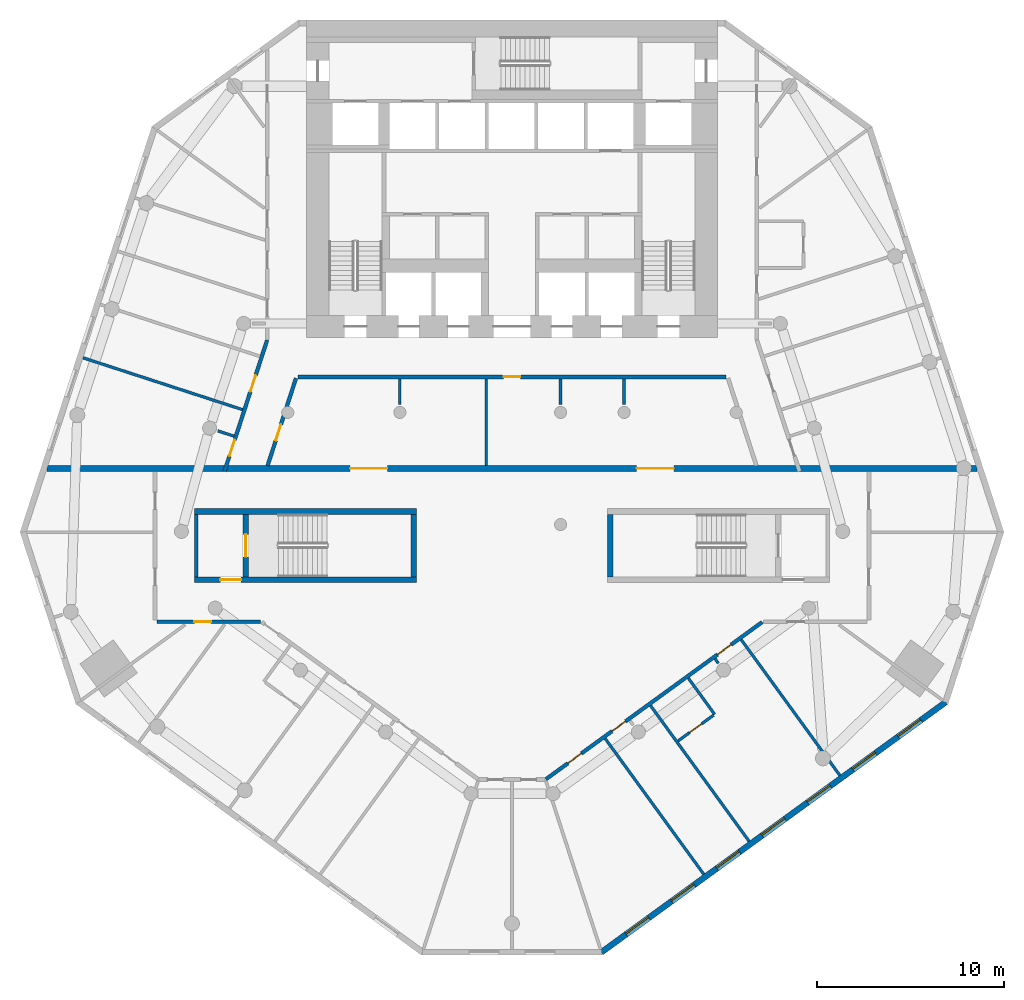
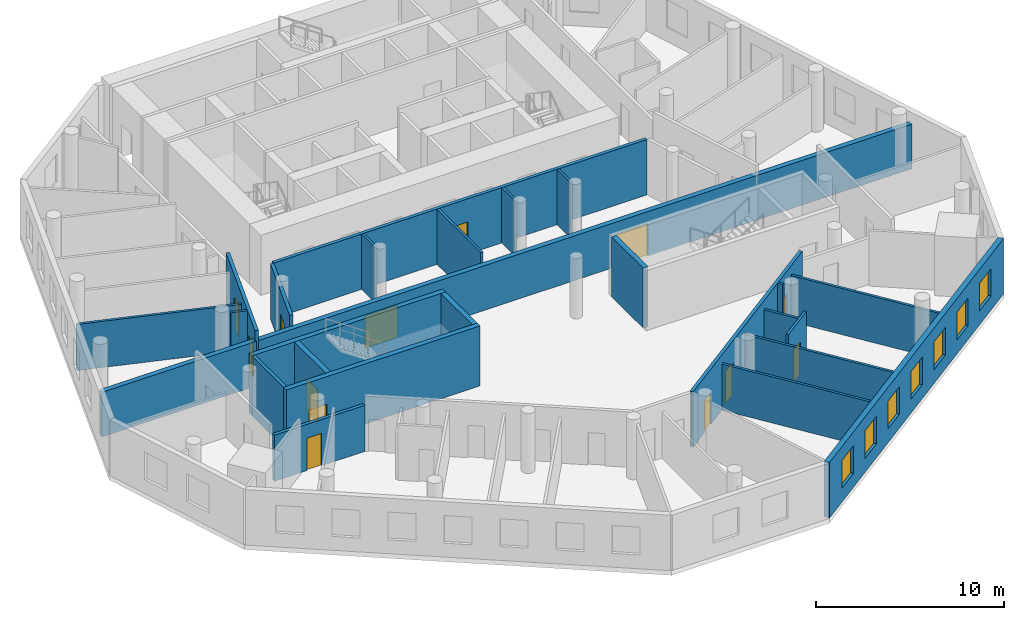
# One storey, part 3 of 9: 25 walls, 13 doors, 7 windows, 20 openings.
"""IFC4 building model written with IfcOpenShell, lengths in metres."""

from ifc_helpers import new_model, si_unit, direction, frame, frame_2d, origin, place, context, subcontext, project, spatial, rectangle, extrude, material, layer, layer_set, type_object, element, fill, save


model = new_model("IFC4")

# Units and contexts
model_context = context("Model", 3, precision=1e-05, world=origin(), true_north=direction((0.0, 1.0)))
body_context = subcontext(model_context, "Body", "Model", "MODEL_VIEW")
ifc_project = project(units=[si_unit("LENGTHUNIT", "METRE"), si_unit("AREAUNIT", "SQUARE_METRE"), si_unit("VOLUMEUNIT", "CUBIC_METRE"), si_unit("PLANEANGLEUNIT", "RADIAN"), si_unit("MASSUNIT", "GRAM", prefix="KILO")], contexts=[model_context])

# Site, building, storey
site_placement = place(None, origin())
site = spatial("IfcSite", under=ifc_project, at=site_placement, CompositionType="ELEMENT")
building_placement = place(site_placement, origin())
building = spatial("IfcBuilding", under=site, at=building_placement, Name="White Candle Pilgrim Tower", CompositionType="ELEMENT")
storey_placement = place(building_placement, frame((0.0, 0.0, 46.800048828125)))
storey = spatial("IfcBuildingStorey", under=building, at=storey_placement, Name="L08", CompositionType="ELEMENT", Elevation=46.800048828125)

# Wall
ifc_material_1 = material(Name="Concrete C70/85", Category="concrete")
ifc_layer_1 = layer(ifc_material_1, 0.199951171875)
ifc_layer_set_1 = layer_set([ifc_layer_1], Name="Core wall 200 mm Concrete C70/85")
wall_type_1 = type_object("IfcWallType", Name="Core wall 200 mm Concrete C70/85", PredefinedType="SHEAR", material=ifc_layer_set_1)
wall_1_placement = place(storey_placement, frame((53.10009765625, 58.199951171875, 0.0), z_axis=(0.0, 0.0, 1.0), x_axis=(0.0, 1.0, 0.0)))
element("IfcWall", 1, at=wall_1_placement, inside=storey, type_object=wall_type_1, Name="WL-L08-C03", PredefinedType="SHEAR", context=body_context, shape_type="SweptSolid", body=[
    extrude(rectangle(XDim=3.35009765625, YDim=0.199951171875, at=frame_2d((1.675048828125, 0.0))), origin(), (0.0, 0.0, 1.0), 3.89990234375),
])

# Wall, openings, doors
ifc_material_2 = material(Name="Gypsum board on steel studs", Category="steel")
ifc_layer_2 = layer(ifc_material_2, 0.199951171875)
ifc_layer_set_2 = layer_set([ifc_layer_2], Name="Corridor wall 200 mm EI 45")
wall_type_2 = type_object("IfcWallType", Name="Corridor wall 200 mm EI 45", PredefinedType="PARTITIONING", material=ifc_layer_set_2)
wall_2_placement = place(storey_placement, frame((54.615234375, 63.85009765625, 0.0), z_axis=(0.0, 0.0, 1.0), x_axis=(0.309020970938, 0.951055224222, 0.0)))
wall_2 = element("IfcWall", 2, at=wall_2_placement, inside=storey, type_object=wall_type_2, Name="WL-L08-P002", PredefinedType="PARTITIONING", context=body_context, shape_type="SweptSolid", body=[
    extrude(rectangle(XDim=7.37744140625, YDim=0.199951171875, at=frame_2d((3.688720703125, 0.0))), origin(), (0.0, 0.0, 1.0), 3.599853515625),
])
opening_1_placement = place(wall_2_placement, frame((0.8583984375, 0.0, 0.0)))
opening_1 = element("IfcOpeningElement", 3, at=opening_1_placement, cuts=wall_2, Name="Opening T02-120", PredefinedType="OPENING", context=body_context, shape_type="SweptSolid", body=[
    extrude(rectangle(XDim=0.89990234375, YDim=2.10009765625, at=frame_2d((0.449951171875, 1.050048828125))), frame((0.0, 0.10986328125, 0.0), z_axis=(0.0, -1.0, 0.0), x_axis=(1.0, 0.0, 0.0)), (0.0, 0.0, 1.0), 0.219970703125),
])
opening_2_placement = place(wall_2_placement, frame((4.486572265625, 0.0, 0.0)))
opening_2 = element("IfcOpeningElement", 4, at=opening_2_placement, cuts=wall_2, Name="Opening T02-121", PredefinedType="OPENING", context=body_context, shape_type="SweptSolid", body=[
    extrude(rectangle(XDim=0.89990234375, YDim=2.10009765625, at=frame_2d((0.449951171875, 1.050048828125))), frame((0.0, 0.10986328125, 0.0), z_axis=(0.0, -1.0, 0.0), x_axis=(1.0, 0.0, 0.0)), (0.0, 0.0, 1.0), 0.219970703125),
])
ifc_material_3 = material(Name="Steel door leaf", Category="steel")
door_type_1 = type_object("IfcDoorType", Name="Fire door 900 x 2100 EI 30", OperationType="NOTDEFINED", PredefinedType="DOOR", material=ifc_material_3)
door_1_placement = place(opening_1_placement, origin())
door_1 = element("IfcDoor", 5, at=door_1_placement, inside=storey, type_object=door_type_1, Name="Door T02-120", OperationType="SINGLE_SWING_RIGHT", OverallHeight=2.10009765625, OverallWidth=0.89990234375, PredefinedType="DOOR", context=body_context, shape_type="SweptSolid", body=[
    extrude(rectangle(XDim=0.89990234375, YDim=2.10009765625, at=frame_2d((0.449951171875, 1.050048828125))), frame((0.0, 0.02490234375, 0.0), z_axis=(0.0, -1.0, 0.0), x_axis=(1.0, 0.0, 0.0)), (0.0, 0.0, 1.0), 0.050048828125),
])
fill(opening_1, door_1)
door_2_placement = place(opening_2_placement, origin())
door_2 = element("IfcDoor", 6, at=door_2_placement, inside=storey, type_object=door_type_1, Name="Door T02-121", OperationType="SINGLE_SWING_LEFT", OverallHeight=2.10009765625, OverallWidth=0.89990234375, PredefinedType="DOOR", context=body_context, shape_type="SweptSolid", body=[
    extrude(rectangle(XDim=0.89990234375, YDim=2.10009765625, at=frame_2d((0.449951171875, 1.050048828125))), frame((0.0, 0.02490234375, 0.0), z_axis=(0.0, -1.0, 0.0), x_axis=(1.0, 0.0, 0.0)), (0.0, 0.0, 1.0), 0.050048828125),
])
fill(opening_2, door_2)

wall_3_placement = place(storey_placement, frame((83.386962890625, 55.781005859375, 0.0), z_axis=(0.0, 0.0, 1.0), x_axis=(-0.809010579214, -0.587794081902, 0.0)))
wall_3 = element("IfcWall", 7, at=wall_3_placement, inside=storey, type_object=wall_type_2, Name="WL-L08-P008", PredefinedType="PARTITIONING", context=body_context, shape_type="SweptSolid", body=[
    extrude(rectangle(XDim=14.302978515625, YDim=0.199951171875, at=frame_2d((7.1513671875, 0.0))), origin(), (0.0, 0.0, 1.0), 3.599853515625),
])
opening_3_placement = place(wall_3_placement, frame((11.947509765625, 0.0, 0.0)))
opening_3 = element("IfcOpeningElement", 8, at=opening_3_placement, cuts=wall_3, Name="Opening T02-110", PredefinedType="OPENING", context=body_context, shape_type="SweptSolid", body=[
    extrude(rectangle(XDim=0.89990234375, YDim=2.10009765625, at=frame_2d((0.449951171875, 1.050048828125))), frame((0.0, 0.10986328125, 0.0), z_axis=(0.0, -1.0, 0.0), x_axis=(1.0, 0.0, 0.0)), (0.0, 0.0, 1.0), 0.219970703125),
])
opening_4_placement = place(wall_3_placement, frame((9.034423828125, 0.0, 0.0)))
opening_4 = element("IfcOpeningElement", 9, at=opening_4_placement, cuts=wall_3, Name="Opening T02-111", PredefinedType="OPENING", context=body_context, shape_type="SweptSolid", body=[
    extrude(rectangle(XDim=0.89990234375, YDim=2.10009765625, at=frame_2d((0.449951171875, 1.050048828125))), frame((0.0, 0.10986328125, 0.0), z_axis=(0.0, -1.0, 0.0), x_axis=(1.0, 0.0, 0.0)), (0.0, 0.0, 1.0), 0.219970703125),
])
opening_5_placement = place(wall_3_placement, frame((2.059326171875, 0.0, 0.0)))
opening_5 = element("IfcOpeningElement", 10, at=opening_5_placement, cuts=wall_3, Name="Opening T02-113", PredefinedType="OPENING", context=body_context, shape_type="SweptSolid", body=[
    extrude(rectangle(XDim=0.89990234375, YDim=2.10009765625, at=frame_2d((0.449951171875, 1.050048828125))), frame((0.0, 0.10986328125, 0.0), z_axis=(0.0, -1.0, 0.0), x_axis=(1.0, 0.0, 0.0)), (0.0, 0.0, 1.0), 0.219970703125),
])
door_3_placement = place(opening_3_placement, origin())
door_3 = element("IfcDoor", 11, at=door_3_placement, inside=storey, type_object=door_type_1, Name="Door T02-110", OperationType="SINGLE_SWING_RIGHT", OverallHeight=2.10009765625, OverallWidth=0.89990234375, PredefinedType="DOOR", context=body_context, shape_type="SweptSolid", body=[
    extrude(rectangle(XDim=0.89990234375, YDim=2.10009765625, at=frame_2d((0.449951171875, 1.050048828125))), frame((0.0, 0.02490234375, 0.0), z_axis=(0.0, -1.0, 0.0), x_axis=(1.0, 0.0, 0.0)), (0.0, 0.0, 1.0), 0.050048828125),
])
fill(opening_3, door_3)
door_4_placement = place(opening_4_placement, origin())
door_4 = element("IfcDoor", 12, at=door_4_placement, inside=storey, type_object=door_type_1, Name="Door T02-111", OperationType="SINGLE_SWING_RIGHT", OverallHeight=2.10009765625, OverallWidth=0.89990234375, PredefinedType="DOOR", context=body_context, shape_type="SweptSolid", body=[
    extrude(rectangle(XDim=0.89990234375, YDim=2.10009765625, at=frame_2d((0.449951171875, 1.050048828125))), frame((0.0, 0.02490234375, 0.0), z_axis=(0.0, -1.0, 0.0), x_axis=(1.0, 0.0, 0.0)), (0.0, 0.0, 1.0), 0.050048828125),
])
fill(opening_4, door_4)
door_5_placement = place(opening_5_placement, frame((0.89990234375, 0.0, 0.0), z_axis=(0.0, 0.0, 1.0), x_axis=(-1.0, 0.0, 0.0)))
door_5 = element("IfcDoor", 13, at=door_5_placement, inside=storey, type_object=door_type_1, Name="Door T02-113", OperationType="SINGLE_SWING_RIGHT", OverallHeight=2.10009765625, OverallWidth=0.89990234375, PredefinedType="DOOR", context=body_context, shape_type="SweptSolid", body=[
    extrude(rectangle(XDim=0.89990234375, YDim=2.10009765625, at=frame_2d((0.449951171875, 1.050048828125))), frame((0.0, 0.02490234375, 0.0), z_axis=(0.0, -1.0, 0.0), x_axis=(1.0, 0.0, 0.0)), (0.0, 0.0, 1.0), 0.050048828125),
])
fill(opening_5, door_5)

# Wall, opening, door
wall_4_placement = place(storey_placement, frame((56.55419921875, 55.800048828125, 0.0), z_axis=(0.0, 0.0, 1.0), x_axis=(-1.0, 0.0, 0.0)))
wall_4 = element("IfcWall", 14, at=wall_4_placement, inside=storey, type_object=wall_type_2, Name="WL-L08-P011", PredefinedType="PARTITIONING", context=body_context, shape_type="SweptSolid", body=[
    extrude(rectangle(XDim=5.55419921875, YDim=0.199951171875, at=frame_2d((2.777099609375, 0.0))), origin(), (0.0, 0.0, 1.0), 3.0),
])
opening_6_placement = place(wall_4_placement, frame((2.6533203125, 0.0, 0.0)))
opening_6 = element("IfcOpeningElement", 15, at=opening_6_placement, cuts=wall_4, Name="Opening T02-102", PredefinedType="OPENING", context=body_context, shape_type="SweptSolid", body=[
    extrude(rectangle(XDim=0.89990234375, YDim=2.10009765625, at=frame_2d((0.449951171875, 1.050048828125))), frame((0.0, 0.10986328125, 0.0), z_axis=(0.0, -1.0, 0.0), x_axis=(1.0, 0.0, 0.0)), (0.0, 0.0, 1.0), 0.219970703125),
])
door_6_placement = place(opening_6_placement, origin())
door_6 = element("IfcDoor", 16, at=door_6_placement, inside=storey, type_object=door_type_1, Name="Door T02-102", OperationType="SINGLE_SWING_RIGHT", OverallHeight=2.10009765625, OverallWidth=0.89990234375, PredefinedType="DOOR", context=body_context, shape_type="SweptSolid", body=[
    extrude(rectangle(XDim=0.89990234375, YDim=2.10009765625, at=frame_2d((0.449951171875, 1.050048828125))), frame((0.0, 0.02490234375, 0.0), z_axis=(0.0, -1.0, 0.0), x_axis=(1.0, 0.0, 0.0)), (0.0, 0.0, 1.0), 0.050048828125),
])
fill(opening_6, door_6)

wall_5_placement = place(storey_placement, frame((81.463134765625, 68.89990234375, 0.0), z_axis=(0.0, 0.0, 1.0), x_axis=(-1.0, 0.0, 0.0)))
wall_5 = element("IfcWall", 17, at=wall_5_placement, inside=storey, type_object=wall_type_2, Name="WL-L08-P013", PredefinedType="PARTITIONING", context=body_context, shape_type="SweptSolid", body=[
    extrude(rectangle(XDim=22.92626953125, YDim=0.199951171875, at=frame_2d((11.463134765625, 0.0))), origin(), (0.0, 0.0, 1.0), 3.599853515625),
])
opening_7_placement = place(wall_5_placement, frame((11.01318359375, 0.0, 0.0)))
opening_7 = element("IfcOpeningElement", 18, at=opening_7_placement, cuts=wall_5, Name="Opening T02-133", PredefinedType="OPENING", context=body_context, shape_type="SweptSolid", body=[
    extrude(rectangle(XDim=0.89990234375, YDim=2.10009765625, at=frame_2d((0.449951171875, 1.050048828125))), frame((0.0, 0.10986328125, 0.0), z_axis=(0.0, -1.0, 0.0), x_axis=(1.0, 0.0, 0.0)), (0.0, 0.0, 1.0), 0.219970703125),
])
door_7_placement = place(opening_7_placement, origin())
door_7 = element("IfcDoor", 19, at=door_7_placement, inside=storey, type_object=door_type_1, Name="Door T02-133", OperationType="SINGLE_SWING_LEFT", OverallHeight=2.10009765625, OverallWidth=0.89990234375, PredefinedType="DOOR", context=body_context, shape_type="SweptSolid", body=[
    extrude(rectangle(XDim=0.89990234375, YDim=2.10009765625, at=frame_2d((0.449951171875, 1.050048828125))), frame((0.0, 0.02490234375, 0.0), z_axis=(0.0, -1.0, 0.0), x_axis=(1.0, 0.0, 0.0)), (0.0, 0.0, 1.0), 0.050048828125),
])
fill(opening_7, door_7)

wall_6_placement = place(storey_placement, frame((58.44189453125, 68.830810546875, 0.0), z_axis=(0.0, 0.0, 1.0), x_axis=(-0.309031112369, -0.951051928965, 0.0)))
wall_6 = element("IfcWall", 20, at=wall_6_placement, inside=storey, type_object=wall_type_2, Name="WL-L08-P014", PredefinedType="PARTITIONING", context=body_context, shape_type="SweptSolid", body=[
    extrude(rectangle(XDim=4.921875, YDim=0.199951171875, at=frame_2d((2.4609375, 0.0))), origin(), (0.0, 0.0, 1.0), 3.599853515625),
])
opening_8_placement = place(wall_6_placement, frame((2.59619140625, 0.0, 0.0)))
opening_8 = element("IfcOpeningElement", 21, at=opening_8_placement, cuts=wall_6, Name="Opening T02-134", PredefinedType="OPENING", context=body_context, shape_type="SweptSolid", body=[
    extrude(rectangle(XDim=0.89990234375, YDim=2.10009765625, at=frame_2d((0.449951171875, 1.050048828125))), frame((0.0, 0.10986328125, 0.0), z_axis=(0.0, -1.0, 0.0), x_axis=(1.0, 0.0, 0.0)), (0.0, 0.0, 1.0), 0.219970703125),
])
door_8_placement = place(opening_8_placement, origin())
door_8 = element("IfcDoor", 22, at=door_8_placement, inside=storey, type_object=door_type_1, Name="Door T02-134", OperationType="SINGLE_SWING_RIGHT", OverallHeight=2.10009765625, OverallWidth=0.89990234375, PredefinedType="DOOR", context=body_context, shape_type="SweptSolid", body=[
    extrude(rectangle(XDim=0.89990234375, YDim=2.10009765625, at=frame_2d((0.449951171875, 1.050048828125))), frame((0.0, 0.02490234375, 0.0), z_axis=(0.0, -1.0, 0.0), x_axis=(1.0, 0.0, 0.0)), (0.0, 0.0, 1.0), 0.050048828125),
])
fill(opening_8, door_8)

# Wall, openings, windows
ifc_material_4 = material(Name="Precast concrete C40/50", Category="concrete")
ifc_layer_3 = layer(ifc_material_4, 0.320068359375)
ifc_layer_set_3 = layer_set([ifc_layer_3], Name="Facade wall EW1 precast concrete C40/50 pier wall with timber-lined reveals")
wall_type_3 = type_object("IfcWallType", Name="Facade wall EW1 precast concrete C40/50 pier wall with timber-lined reveals", PredefinedType="SOLIDWALL", material=ifc_layer_set_3)
wall_7_placement = place(storey_placement, frame((74.79150390625, 38.11474609375, 0.0), z_axis=(0.0, 0.0, 1.0), x_axis=(0.80901991267, 0.587781235583, 0.0)))
wall_7 = element("IfcWall", 23, at=wall_7_placement, inside=storey, type_object=wall_type_3, Name="Facade wall L08 SE", PredefinedType="SOLIDWALL", context=body_context, shape_type="SweptSolid", body=[
    extrude(rectangle(XDim=22.7568359375, YDim=0.320068359375, at=frame_2d((11.37841796875, 0.0))), origin(), (0.0, 0.0, 1.0), 3.599853515625),
])
opening_9_placement = place(wall_7_placement, frame((1.62841796875, 0.0, 0.89990234375)))
opening_9 = element("IfcOpeningElement", 24, at=opening_9_placement, cuts=wall_7, Name="Opening W1", PredefinedType="OPENING", context=body_context, shape_type="SweptSolid", body=[
    extrude(rectangle(XDim=1.5, YDim=1.800048828125, at=frame_2d((0.75, 0.89990234375))), frame((0.0, 0.169921875, 0.0), z_axis=(0.0, -1.0, 0.0), x_axis=(1.0, 0.0, 0.0)), (0.0, 0.0, 1.0), 0.340087890625),
])
opening_10_placement = place(wall_7_placement, frame((4.62841796875, 0.0, 0.89990234375)))
opening_10 = element("IfcOpeningElement", 25, at=opening_10_placement, cuts=wall_7, Name="Opening W1", PredefinedType="OPENING", context=body_context, shape_type="SweptSolid", body=[
    extrude(rectangle(XDim=1.5, YDim=1.800048828125, at=frame_2d((0.75, 0.89990234375))), frame((0.0, 0.169921875, 0.0), z_axis=(0.0, -1.0, 0.0), x_axis=(1.0, 0.0, 0.0)), (0.0, 0.0, 1.0), 0.340087890625),
])
opening_11_placement = place(wall_7_placement, frame((7.62841796875, 0.0, 0.89990234375)))
opening_11 = element("IfcOpeningElement", 26, at=opening_11_placement, cuts=wall_7, Name="Opening W1", PredefinedType="OPENING", context=body_context, shape_type="SweptSolid", body=[
    extrude(rectangle(XDim=1.5, YDim=1.800048828125, at=frame_2d((0.75, 0.89990234375))), frame((0.0, 0.169921875, 0.0), z_axis=(0.0, -1.0, 0.0), x_axis=(1.0, 0.0, 0.0)), (0.0, 0.0, 1.0), 0.340087890625),
])
opening_12_placement = place(wall_7_placement, frame((10.62841796875, 0.0, 0.89990234375)))
opening_12 = element("IfcOpeningElement", 27, at=opening_12_placement, cuts=wall_7, Name="Opening W1", PredefinedType="OPENING", context=body_context, shape_type="SweptSolid", body=[
    extrude(rectangle(XDim=1.5, YDim=1.800048828125, at=frame_2d((0.75, 0.89990234375))), frame((0.0, 0.169921875, 0.0), z_axis=(0.0, -1.0, 0.0), x_axis=(1.0, 0.0, 0.0)), (0.0, 0.0, 1.0), 0.340087890625),
])
opening_13_placement = place(wall_7_placement, frame((13.62841796875, 0.0, 0.89990234375)))
opening_13 = element("IfcOpeningElement", 28, at=opening_13_placement, cuts=wall_7, Name="Opening W1", PredefinedType="OPENING", context=body_context, shape_type="SweptSolid", body=[
    extrude(rectangle(XDim=1.5, YDim=1.800048828125, at=frame_2d((0.75, 0.89990234375))), frame((0.0, 0.169921875, 0.0), z_axis=(0.0, -1.0, 0.0), x_axis=(1.0, 0.0, 0.0)), (0.0, 0.0, 1.0), 0.340087890625),
])
opening_14_placement = place(wall_7_placement, frame((16.62841796875, 0.0, 0.89990234375)))
opening_14 = element("IfcOpeningElement", 29, at=opening_14_placement, cuts=wall_7, Name="Opening W1", PredefinedType="OPENING", context=body_context, shape_type="SweptSolid", body=[
    extrude(rectangle(XDim=1.5, YDim=1.800048828125, at=frame_2d((0.75, 0.89990234375))), frame((0.0, 0.169921875, 0.0), z_axis=(0.0, -1.0, 0.0), x_axis=(1.0, 0.0, 0.0)), (0.0, 0.0, 1.0), 0.340087890625),
])
opening_15_placement = place(wall_7_placement, frame((19.62841796875, 0.0, 0.89990234375)))
opening_15 = element("IfcOpeningElement", 30, at=opening_15_placement, cuts=wall_7, Name="Opening W1", PredefinedType="OPENING", context=body_context, shape_type="SweptSolid", body=[
    extrude(rectangle(XDim=1.5, YDim=1.800048828125, at=frame_2d((0.75, 0.89990234375))), frame((0.0, 0.169921875, 0.0), z_axis=(0.0, -1.0, 0.0), x_axis=(1.0, 0.0, 0.0)), (0.0, 0.0, 1.0), 0.340087890625),
])
ifc_material_5 = material(Name="Timber frame with triple glazing", Category="wood")
window_type = type_object("IfcWindowType", Name="Window W1 1500x1800 timber frame triple glazing", PartitioningType="SINGLE_PANEL", PredefinedType="WINDOW", material=ifc_material_5)
window_1_placement = place(opening_9_placement, origin())
window_1 = element("IfcWindow", 31, at=window_1_placement, inside=storey, type_object=window_type, Name="Window W1 L08 SE 1", OverallHeight=1.800048828125, OverallWidth=1.5, PartitioningType="SINGLE_PANEL", PredefinedType="WINDOW", context=body_context, shape_type="SweptSolid", body=[
    extrude(rectangle(XDim=1.5, YDim=1.800048828125, at=frame_2d((0.75, 0.89990234375))), frame((0.0, 0.070068359375, 0.0), z_axis=(0.0, -1.0, 0.0), x_axis=(1.0, 0.0, 0.0)), (0.0, 0.0, 1.0), 0.06005859375),
])
fill(opening_9, window_1)
window_2_placement = place(opening_10_placement, origin())
window_2 = element("IfcWindow", 32, at=window_2_placement, inside=storey, type_object=window_type, Name="Window W1 L08 SE 2", OverallHeight=1.800048828125, OverallWidth=1.5, PartitioningType="SINGLE_PANEL", PredefinedType="WINDOW", context=body_context, shape_type="SweptSolid", body=[
    extrude(rectangle(XDim=1.5, YDim=1.800048828125, at=frame_2d((0.75, 0.89990234375))), frame((0.0, 0.070068359375, 0.0), z_axis=(0.0, -1.0, 0.0), x_axis=(1.0, 0.0, 0.0)), (0.0, 0.0, 1.0), 0.06005859375),
])
fill(opening_10, window_2)
window_3_placement = place(opening_11_placement, origin())
window_3 = element("IfcWindow", 33, at=window_3_placement, inside=storey, type_object=window_type, Name="Window W1 L08 SE 3", OverallHeight=1.800048828125, OverallWidth=1.5, PartitioningType="SINGLE_PANEL", PredefinedType="WINDOW", context=body_context, shape_type="SweptSolid", body=[
    extrude(rectangle(XDim=1.5, YDim=1.800048828125, at=frame_2d((0.75, 0.89990234375))), frame((0.0, 0.070068359375, 0.0), z_axis=(0.0, -1.0, 0.0), x_axis=(1.0, 0.0, 0.0)), (0.0, 0.0, 1.0), 0.06005859375),
])
fill(opening_11, window_3)
window_4_placement = place(opening_12_placement, origin())
window_4 = element("IfcWindow", 34, at=window_4_placement, inside=storey, type_object=window_type, Name="Window W1 L08 SE 4", OverallHeight=1.800048828125, OverallWidth=1.5, PartitioningType="SINGLE_PANEL", PredefinedType="WINDOW", context=body_context, shape_type="SweptSolid", body=[
    extrude(rectangle(XDim=1.5, YDim=1.800048828125, at=frame_2d((0.75, 0.89990234375))), frame((0.0, 0.070068359375, 0.0), z_axis=(0.0, -1.0, 0.0), x_axis=(1.0, 0.0, 0.0)), (0.0, 0.0, 1.0), 0.06005859375),
])
fill(opening_12, window_4)
window_5_placement = place(opening_13_placement, origin())
window_5 = element("IfcWindow", 35, at=window_5_placement, inside=storey, type_object=window_type, Name="Window W1 L08 SE 5", OverallHeight=1.800048828125, OverallWidth=1.5, PartitioningType="SINGLE_PANEL", PredefinedType="WINDOW", context=body_context, shape_type="SweptSolid", body=[
    extrude(rectangle(XDim=1.5, YDim=1.800048828125, at=frame_2d((0.75, 0.89990234375))), frame((0.0, 0.070068359375, 0.0), z_axis=(0.0, -1.0, 0.0), x_axis=(1.0, 0.0, 0.0)), (0.0, 0.0, 1.0), 0.06005859375),
])
fill(opening_13, window_5)
window_6_placement = place(opening_14_placement, origin())
window_6 = element("IfcWindow", 36, at=window_6_placement, inside=storey, type_object=window_type, Name="Window W1 L08 SE 6", OverallHeight=1.800048828125, OverallWidth=1.5, PartitioningType="SINGLE_PANEL", PredefinedType="WINDOW", context=body_context, shape_type="SweptSolid", body=[
    extrude(rectangle(XDim=1.5, YDim=1.800048828125, at=frame_2d((0.75, 0.89990234375))), frame((0.0, 0.070068359375, 0.0), z_axis=(0.0, -1.0, 0.0), x_axis=(1.0, 0.0, 0.0)), (0.0, 0.0, 1.0), 0.06005859375),
])
fill(opening_14, window_6)
window_7_placement = place(opening_15_placement, origin())
window_7 = element("IfcWindow", 37, at=window_7_placement, inside=storey, type_object=window_type, Name="Window W1 L08 SE 7", OverallHeight=1.800048828125, OverallWidth=1.5, PartitioningType="SINGLE_PANEL", PredefinedType="WINDOW", context=body_context, shape_type="SweptSolid", body=[
    extrude(rectangle(XDim=1.5, YDim=1.800048828125, at=frame_2d((0.75, 0.89990234375))), frame((0.0, 0.070068359375, 0.0), z_axis=(0.0, -1.0, 0.0), x_axis=(1.0, 0.0, 0.0)), (0.0, 0.0, 1.0), 0.06005859375),
])
fill(opening_15, window_7)

# Wall, openings, doors
ifc_material_6 = material(Name="Aerated concrete block", Category="concrete")
ifc_layer_4 = layer(ifc_material_6, 0.300048828125)
ifc_layer_set_4 = layer_set([ifc_layer_4], Name="Fire wall 300 mm REI 240")
wall_type_4 = type_object("IfcWallType", Name="Fire wall 300 mm REI 240", PredefinedType="PARTITIONING", material=ifc_layer_set_4)
wall_8_placement = place(storey_placement, frame((45.11669921875, 64.0, 0.0), z_axis=(0.0, 0.0, 1.0), x_axis=(1.0, 0.0, 0.0)))
wall_8 = element("IfcWall", 38, at=wall_8_placement, inside=storey, type_object=wall_type_4, Name="WL-L08-P001", PredefinedType="PARTITIONING", context=body_context, shape_type="SweptSolid", body=[
    extrude(rectangle(XDim=49.7666015625, YDim=0.300048828125, at=frame_2d((24.88330078125, 0.0))), origin(), (0.0, 0.0, 1.0), 2.89990234375),
])
opening_16_placement = place(wall_8_placement, frame((16.215087890625, 0.0, 0.0)))
opening_16 = element("IfcOpeningElement", 39, at=opening_16_placement, cuts=wall_8, Name="Opening T02-117", PredefinedType="OPENING", context=body_context, shape_type="SweptSolid", body=[
    extrude(rectangle(XDim=2.0, YDim=2.10009765625, at=frame_2d((1.0, 1.050048828125))), frame((0.0, 0.159912109375, 0.0), z_axis=(0.0, -1.0, 0.0), x_axis=(1.0, 0.0, 0.0)), (0.0, 0.0, 1.0), 0.320068359375),
])
opening_17_placement = place(wall_8_placement, frame((31.55126953125, 0.0, 0.0)))
opening_17 = element("IfcOpeningElement", 40, at=opening_17_placement, cuts=wall_8, Name="Opening T02-118", PredefinedType="OPENING", context=body_context, shape_type="SweptSolid", body=[
    extrude(rectangle(XDim=2.0, YDim=2.10009765625, at=frame_2d((1.0, 1.050048828125))), frame((0.0, 0.159912109375, 0.0), z_axis=(0.0, -1.0, 0.0), x_axis=(1.0, 0.0, 0.0)), (0.0, 0.0, 1.0), 0.320068359375),
])
door_type_2 = type_object("IfcDoorType", Name="Fire door 2000 x 2100 EI 60", OperationType="NOTDEFINED", PredefinedType="DOOR", material=ifc_material_3)
door_9_placement = place(opening_16_placement, origin())
door_9 = element("IfcDoor", 41, at=door_9_placement, inside=storey, type_object=door_type_2, Name="Door T02-117", OperationType="DOUBLE_DOOR_SINGLE_SWING", OverallHeight=2.10009765625, OverallWidth=2.0, PredefinedType="DOOR", context=body_context, shape_type="SweptSolid", body=[
    extrude(rectangle(XDim=2.0, YDim=2.10009765625, at=frame_2d((1.0, 1.050048828125))), frame((0.0, 0.02490234375, 0.0), z_axis=(0.0, -1.0, 0.0), x_axis=(1.0, 0.0, 0.0)), (0.0, 0.0, 1.0), 0.050048828125),
])
fill(opening_16, door_9)
door_10_placement = place(opening_17_placement, origin())
door_10 = element("IfcDoor", 42, at=door_10_placement, inside=storey, type_object=door_type_2, Name="Door T02-118", OperationType="DOUBLE_DOOR_SINGLE_SWING", OverallHeight=2.10009765625, OverallWidth=2.0, PredefinedType="DOOR", context=body_context, shape_type="SweptSolid", body=[
    extrude(rectangle(XDim=2.0, YDim=2.10009765625, at=frame_2d((1.0, 1.050048828125))), frame((0.0, 0.02490234375, 0.0), z_axis=(0.0, -1.0, 0.0), x_axis=(1.0, 0.0, 0.0)), (0.0, 0.0, 1.0), 0.050048828125),
])
fill(opening_17, door_10)

# Walls
ifc_layer_5 = layer(ifc_material_2, 0.14990234375)
ifc_layer_set_5 = layer_set([ifc_layer_5], Name="Partition 150 mm EI 60")
wall_type_5 = type_object("IfcWallType", Name="Partition 150 mm EI 60", PredefinedType="PARTITIONING", material=ifc_layer_set_5)
for number, where, z_axis, x_axis, name in (
    (43, (47.041748046875, 69.92431640625, 0.0), (0.0, 0.0, 1.0), (0.951059239389, -0.309008613427, 0.0), "WL-L08-P028"),
    (44, (80.26220703125, 42.287109375, 0.0), (0.0, 0.0, 1.0), (-0.587790127827, 0.809013452069, 0.0), "WL-L08-P036"),
    (45, (82.689208984375, 44.050537109375, 0.0), (0.0, 0.0, 1.0), (-0.587790127827, 0.809013452069, 0.0), "WL-L08-P037"),
    (46, (87.54345703125, 47.5771484375, 0.0), (0.0, 0.0, 1.0), (-0.587790127827, 0.809013452069, 0.0), "WL-L08-P038"),
):
    element("IfcWall", number, at=place(storey_placement, frame(where, z_axis=z_axis, x_axis=x_axis)), inside=storey, type_object=wall_type_5, Name=name, PredefinedType="PARTITIONING", context=body_context, shape_type="SweptSolid", body=[
        extrude(rectangle(XDim=8.97998046875, YDim=0.14990234375, at=frame_2d((4.489990234375, 0.0))), origin(), (0.0, 0.0, 1.0), 3.0),
    ])
wall_9_placement = place(storey_placement, frame((79.43359375, 52.784912109375, 0.0), z_axis=(0.0, 0.0, 1.0), x_axis=(0.587772420479, -0.809026317077, 0.0)))
element("IfcWall", 47, at=wall_9_placement, inside=storey, type_object=wall_type_5, Name="WL-L08-P039", PredefinedType="PARTITIONING", context=body_context, shape_type="SweptSolid", body=[
    extrude(rectangle(XDim=2.39990234375, YDim=0.14990234375, at=frame_2d((1.199951171875, 0.0))), origin(), (0.0, 0.0, 1.0), 3.0),
])

# Wall, opening, door
wall_10_placement = place(storey_placement, frame((78.88232421875, 49.41796875, 0.0), z_axis=(0.0, 0.0, 1.0), x_axis=(0.808996573949, 0.587813357571, 0.0)))
wall_10 = element("IfcWall", 48, at=wall_10_placement, inside=storey, type_object=wall_type_5, Name="WL-L08-P040", PredefinedType="PARTITIONING", context=body_context, shape_type="SweptSolid", body=[
    extrude(rectangle(XDim=2.35009765625, YDim=0.14990234375, at=frame_2d((1.175048828125, 0.0))), origin(), (0.0, 0.0, 1.0), 3.599853515625),
])
opening_18_placement = place(wall_10_placement, frame((0.77490234375, 0.0, 0.0)))
opening_18 = element("IfcOpeningElement", 49, at=opening_18_placement, cuts=wall_10, Name="Opening T02-112", PredefinedType="OPENING", context=body_context, shape_type="SweptSolid", body=[
    extrude(rectangle(XDim=0.800048828125, YDim=2.10009765625, at=frame_2d((0.39990234375, 1.050048828125))), frame((0.0, 0.0849609375, 0.0), z_axis=(0.0, -1.0, 0.0), x_axis=(1.0, 0.0, 0.0)), (0.0, 0.0, 1.0), 0.169921875),
])
door_type_3 = type_object("IfcDoorType", Name="Fire door 800 x 2100 EI 30", OperationType="NOTDEFINED", PredefinedType="DOOR", material=ifc_material_3)
door_11_placement = place(opening_18_placement, frame((0.800048828125, 0.0, 0.0), z_axis=(0.0, 0.0, 1.0), x_axis=(-1.0, 0.0, 0.0)))
door_11 = element("IfcDoor", 50, at=door_11_placement, inside=storey, type_object=door_type_3, Name="Door T02-112", OperationType="SINGLE_SWING_LEFT", OverallHeight=2.10009765625, OverallWidth=0.800048828125, PredefinedType="DOOR", context=body_context, shape_type="SweptSolid", body=[
    extrude(rectangle(XDim=0.800048828125, YDim=2.10009765625, at=frame_2d((0.39990234375, 1.050048828125))), frame((0.0, 0.02490234375, 0.0), z_axis=(0.0, -1.0, 0.0), x_axis=(1.0, 0.0, 0.0)), (0.0, 0.0, 1.0), 0.050048828125),
])
fill(opening_18, door_11)

# Walls
wall_11_placement = place(storey_placement, frame((68.62451171875, 64.14990234375, 0.0), z_axis=(0.0, 0.0, 1.0), x_axis=(0.0, 1.0, 0.0)))
element("IfcWall", 51, at=wall_11_placement, inside=storey, type_object=wall_type_5, Name="WL-L08-P048", PredefinedType="PARTITIONING", context=body_context, shape_type="SweptSolid", body=[
    extrude(rectangle(XDim=4.650146484375, YDim=0.14990234375, at=frame_2d((2.3251953125, 0.0))), origin(), (0.0, 0.0, 1.0), 3.599853515625),
])
wall_12_placement = place(storey_placement, frame((81.039306640625, 53.58056640625, 0.0), z_axis=(0.0, 0.0, 1.0), x_axis=(-0.588220071792, 0.808700900915, 0.0)))
element("IfcWall", 52, at=wall_12_placement, inside=storey, type_object=wall_type_5, Name="WL-L08-P053", PredefinedType="PARTITIONING", context=body_context, shape_type="SweptSolid", body=[
    extrude(rectangle(XDim=0.300048828125, YDim=0.14990234375, at=frame_2d((0.14990234375, 0.0))), origin(), (0.0, 0.0, 1.0), 3.599853515625),
])
wall_13_placement = place(storey_placement, frame((54.260986328125, 66.012939453125, 0.0), z_axis=(0.0, 0.0, 1.0), x_axis=(0.951055863971, -0.309019002016, 0.0)))
element("IfcWall", 53, at=wall_13_placement, inside=storey, type_object=wall_type_5, Name="WL-L08-P057", PredefinedType="PARTITIONING", context=body_context, shape_type="SweptSolid", body=[
    extrude(rectangle(XDim=0.905517578125, YDim=0.14990234375, at=frame_2d((0.45263671875, 0.0))), origin(), (0.0, 0.0, 1.0), 3.599853515625),
])
for number, where, z_axis, x_axis, name in (
    (54, (63.997802734375, 67.4150390625, 0.0), (0.0, 0.0, 1.0), (0.0, 1.0, 0.0), "WL-L08-P058"),
    (55, (72.59765625, 67.4150390625, 0.0), (0.0, 0.0, 1.0), (0.0, 1.0, 0.0), "WL-L08-P059"),
    (56, (75.997802734375, 67.4150390625, 0.0), (0.0, 0.0, 1.0), (0.0, 1.0, 0.0), "WL-L08-P060"),
):
    element("IfcWall", number, at=place(storey_placement, frame(where, z_axis=z_axis, x_axis=x_axis)), inside=storey, type_object=wall_type_5, Name=name, PredefinedType="PARTITIONING", context=body_context, shape_type="SweptSolid", body=[
        extrude(rectangle(XDim=1.385009765625, YDim=0.14990234375, at=frame_2d((0.6923828125, 0.0))), origin(), (0.0, 0.0, 1.0), 3.599853515625),
    ])

# Wall, opening, door
ifc_layer_6 = layer(ifc_material_1, 0.300048828125)
ifc_layer_set_6 = layer_set([ifc_layer_6], Name="Stair shaft wall 300 mm Concrete C70/85")
wall_type_6 = type_object("IfcWallType", Name="Stair shaft wall 300 mm Concrete C70/85", PredefinedType="SHEAR", material=ifc_layer_set_6)
wall_14_placement = place(storey_placement, frame((53.0, 58.050048828125, 0.0), z_axis=(0.0, 0.0, 1.0), x_axis=(1.0, 0.0, 0.0)))
wall_14 = element("IfcWall", 57, at=wall_14_placement, inside=storey, type_object=wall_type_6, Name="WL-L08-C01", PredefinedType="SHEAR", context=body_context, shape_type="SweptSolid", body=[
    extrude(rectangle(XDim=11.89990234375, YDim=0.300048828125, at=frame_2d((5.949951171875, 0.0))), origin(), (0.0, 0.0, 1.0), 3.89990234375),
])
opening_19_placement = place(wall_14_placement, frame((1.39990234375, 0.0, 0.0)))
opening_19 = element("IfcOpeningElement", 58, at=opening_19_placement, cuts=wall_14, Name="Opening T02-007", PredefinedType="OPENING", context=body_context, shape_type="SweptSolid", body=[
    extrude(rectangle(XDim=1.10009765625, YDim=2.10009765625, at=frame_2d((0.550048828125, 1.050048828125))), frame((0.0, 0.159912109375, 0.0), z_axis=(0.0, -1.0, 0.0), x_axis=(1.0, 0.0, 0.0)), (0.0, 0.0, 1.0), 0.320068359375),
])
door_type_4 = type_object("IfcDoorType", Name="Fire door 1100 x 2100 EI 60", OperationType="NOTDEFINED", PredefinedType="DOOR", material=ifc_material_3)
door_12_placement = place(opening_19_placement, origin())
door_12 = element("IfcDoor", 59, at=door_12_placement, inside=storey, type_object=door_type_4, Name="Door T02-007", OperationType="SINGLE_SWING_LEFT", OverallHeight=2.10009765625, OverallWidth=1.10009765625, PredefinedType="DOOR", context=body_context, shape_type="SweptSolid", body=[
    extrude(rectangle(XDim=1.10009765625, YDim=2.10009765625, at=frame_2d((0.550048828125, 1.050048828125))), frame((0.0, 0.02490234375, 0.0), z_axis=(0.0, -1.0, 0.0), x_axis=(1.0, 0.0, 0.0)), (0.0, 0.0, 1.0), 0.050048828125),
])
fill(opening_19, door_12)

wall_15_placement = place(storey_placement, frame((55.75, 58.199951171875, 0.0), z_axis=(0.0, 0.0, 1.0), x_axis=(0.0, 1.0, 0.0)))
wall_15 = element("IfcWall", 60, at=wall_15_placement, inside=storey, type_object=wall_type_6, Name="WL-L08-C04", PredefinedType="SHEAR", context=body_context, shape_type="SweptSolid", body=[
    extrude(rectangle(XDim=3.35009765625, YDim=0.300048828125, at=frame_2d((1.675048828125, 0.0))), origin(), (0.0, 0.0, 1.0), 3.89990234375),
])
opening_20_placement = place(wall_15_placement, frame((1.074951171875, 0.0, 0.0)))
opening_20 = element("IfcOpeningElement", 61, at=opening_20_placement, cuts=wall_15, Name="Opening T02-008", PredefinedType="OPENING", context=body_context, shape_type="SweptSolid", body=[
    extrude(rectangle(XDim=1.199951171875, YDim=2.10009765625, at=frame_2d((0.60009765625, 1.050048828125))), frame((0.0, 0.159912109375, 0.0), z_axis=(0.0, -1.0, 0.0), x_axis=(1.0, 0.0, 0.0)), (0.0, 0.0, 1.0), 0.320068359375),
])
door_type_5 = type_object("IfcDoorType", Name="Fire door 1200 x 2100 EI 60", OperationType="NOTDEFINED", PredefinedType="DOOR", material=ifc_material_3)
door_13_placement = place(opening_20_placement, frame((1.199951171875, 0.0, 0.0), z_axis=(0.0, 0.0, 1.0), x_axis=(-1.0, 0.0, 0.0)))
door_13 = element("IfcDoor", 62, at=door_13_placement, inside=storey, type_object=door_type_5, Name="Door T02-008", OperationType="SINGLE_SWING_LEFT", OverallHeight=2.10009765625, OverallWidth=1.199951171875, PredefinedType="DOOR", context=body_context, shape_type="SweptSolid", body=[
    extrude(rectangle(XDim=1.199951171875, YDim=2.10009765625, at=frame_2d((0.60009765625, 1.050048828125))), frame((0.0, 0.02490234375, 0.0), z_axis=(0.0, -1.0, 0.0), x_axis=(1.0, 0.0, 0.0)), (0.0, 0.0, 1.0), 0.050048828125),
])
fill(opening_20, door_13)

# Walls
for number, where, z_axis, x_axis, name in (
    (63, (64.75, 58.199951171875, 0.0), (0.0, 0.0, 1.0), (0.0, 1.0, 0.0), "WL-L08-C05"),
    (64, (75.25, 58.199951171875, 0.0), (0.0, 0.0, 1.0), (0.0, 1.0, 0.0), "WL-L08-C06"),
):
    element("IfcWall", number, at=place(storey_placement, frame(where, z_axis=z_axis, x_axis=x_axis)), inside=storey, type_object=wall_type_6, Name=name, PredefinedType="SHEAR", context=body_context, shape_type="SweptSolid", body=[
        extrude(rectangle(XDim=3.35009765625, YDim=0.300048828125, at=frame_2d((1.675048828125, 0.0))), origin(), (0.0, 0.0, 1.0), 3.89990234375),
    ])
wall_16_placement = place(storey_placement, frame((53.0, 61.699951171875, 0.0), z_axis=(0.0, 0.0, 1.0), x_axis=(1.0, 0.0, 0.0)))
element("IfcWall", 65, at=wall_16_placement, inside=storey, type_object=wall_type_6, Name="WL-L08-C09", PredefinedType="SHEAR", context=body_context, shape_type="SweptSolid", body=[
    extrude(rectangle(XDim=11.89990234375, YDim=0.300048828125, at=frame_2d((5.949951171875, 0.0))), origin(), (0.0, 0.0, 1.0), 3.89990234375),
])

save(model, "model.ifc")
